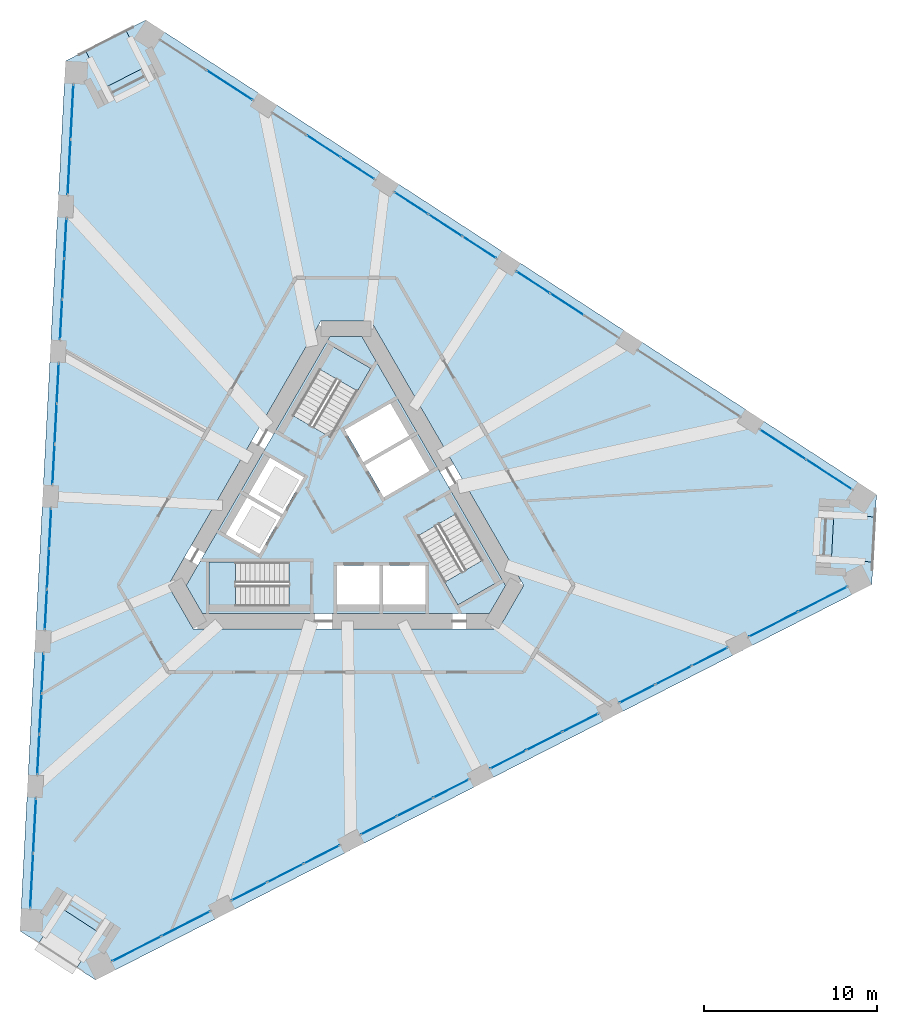
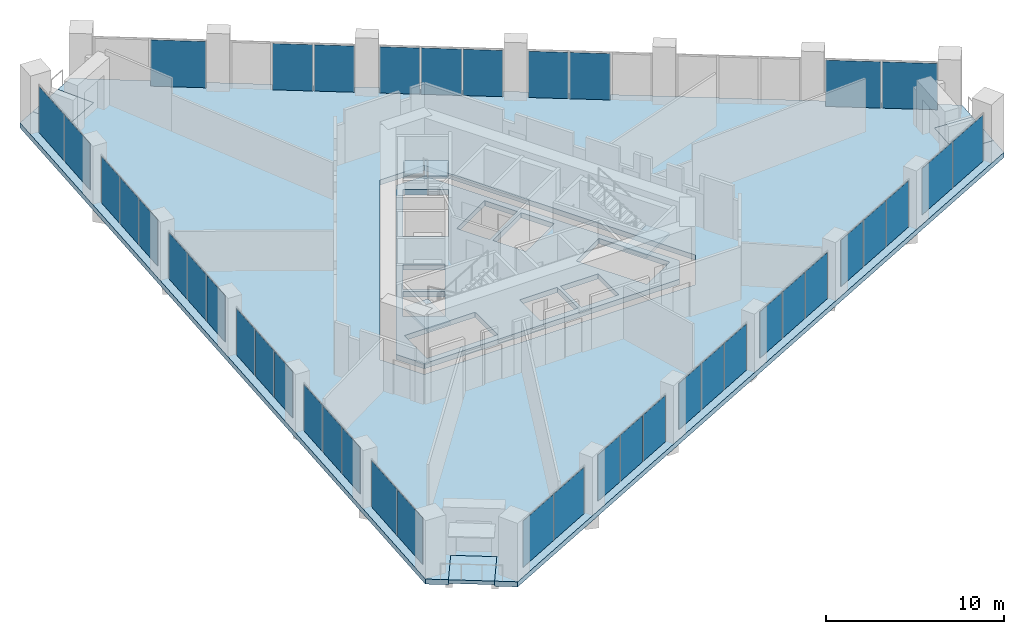
# One storey, part 10 of 18: 42 plates, 8 slabs, 20 elements without a shape of their own.
"""IFC4 building model written with IfcOpenShell, lengths in metres."""

from ifc_helpers import new_model, si_unit, direction, frame, origin, origin_2d, place, context, subcontext, project, spatial, polyline, rectangle, outline, extrude, material, layer, layer_set, type_object, element, aggregate, save


model = new_model("IFC4")

# Units and contexts
model_context = context("Model", 3, precision=1e-05, world=origin(), true_north=direction((0.0, 1.0)))
body_context = subcontext(model_context, "Body", "Model", "MODEL_VIEW")
ifc_project = project(units=[si_unit("LENGTHUNIT", "METRE"), si_unit("AREAUNIT", "SQUARE_METRE"), si_unit("VOLUMEUNIT", "CUBIC_METRE"), si_unit("PLANEANGLEUNIT", "RADIAN"), si_unit("MASSUNIT", "GRAM", prefix="KILO")], contexts=[model_context])

# Site, building, storey
site_placement = place(None, origin())
site = spatial("IfcSite", under=ifc_project, at=site_placement, CompositionType="ELEMENT")
building_placement = place(site_placement, origin())
building = spatial("IfcBuilding", under=site, at=building_placement, Name="Tramontana Tower", CompositionType="ELEMENT")
storey_placement = place(building_placement, frame((0.0, 0.0, 125.60009765625)))
storey = spatial("IfcBuildingStorey", under=building, at=storey_placement, Name="L28", CompositionType="ELEMENT", Elevation=125.60009765625)

# Curtain wall, plates
ifc_material_1 = material(Name="Aluminum extrusion", Category="aluminium")
ifc_layer_1 = layer(ifc_material_1, 0.14990234375)
ifc_layer_set_1 = layer_set([ifc_layer_1], Name="CW3 Sky lobby 1 curtain wall")
curtain_wall_type = type_object("IfcCurtainWallType", Name="CW3 Sky lobby 1 curtain wall", PredefinedType="NOTDEFINED", material=ifc_layer_set_1)
curtain_wall_1_placement = place(storey_placement, origin())
curtain_wall_1 = element("IfcCurtainWall", 1, at=curtain_wall_1_placement, inside=storey, type_object=curtain_wall_type, Name="CW3 curtain wall L28 face 0 bay 1", PredefinedType="NOTDEFINED")
ifc_material_2 = material(Name="Low-iron double glazing unit", Category="glass")
ifc_layer_2 = layer(ifc_material_2, 0.028076171875)
ifc_layer_set_2 = layer_set([ifc_layer_2], Name="CW3-P Glazing panel 28")
plate_type = type_object("IfcPlateType", Name="CW3-P Glazing panel 28", PredefinedType="CURTAIN_PANEL", material=ifc_layer_set_2)
plate_1_placement = place(storey_placement, frame((-15.790283203125, 23.05224609375, 0.0), z_axis=(0.0, 0.0, 1.0), x_axis=(-0.052335956243, -0.998629534755, 0.0)))
plate_1 = element("IfcPlate", 2, at=plate_1_placement, type_object=plate_type, Name="CW3 curtain wall L28 face 0 bay 1 panel 1.1", PredefinedType="CURTAIN_PANEL", context=body_context, shape_type="SweptSolid", body=[
    extrude(rectangle(XDim=3.120849609375, YDim=0.028076171875, at=origin_2d()), origin(), (0.0, 0.0, 1.0), 3.179931640625),
])
plate_2_placement = place(storey_placement, frame((-15.95654296875, 19.8759765625, 0.0), z_axis=(0.0, 0.0, 1.0), x_axis=(-0.052335956243, -0.998629534755, 0.0)))
plate_2 = element("IfcPlate", 3, at=plate_2_placement, type_object=plate_type, Name="CW3 curtain wall L28 face 0 bay 1 panel 2.1", PredefinedType="CURTAIN_PANEL", context=body_context, shape_type="SweptSolid", body=[
    extrude(rectangle(XDim=3.120849609375, YDim=0.028076171875, at=origin_2d()), origin(), (0.0, 0.0, 1.0), 3.179931640625),
])
aggregate(curtain_wall_1, [plate_1, plate_2])

curtain_wall_2_placement = place(storey_placement, origin())
curtain_wall_2 = element("IfcCurtainWall", 4, at=curtain_wall_2_placement, inside=storey, type_object=curtain_wall_type, Name="CW3 curtain wall L28 face 0 bay 2", PredefinedType="NOTDEFINED")
plate_3_placement = place(storey_placement, frame((-16.171875, 15.767578125, 0.0), z_axis=(0.0, 0.0, 1.0), x_axis=(-0.052335956243, -0.998629534755, 0.0)))
plate_3 = element("IfcPlate", 5, at=plate_3_placement, type_object=plate_type, Name="CW3 curtain wall L28 face 0 bay 2 panel 1.1", PredefinedType="CURTAIN_PANEL", context=body_context, shape_type="SweptSolid", body=[
    extrude(rectangle(XDim=2.26708984375, YDim=0.028076171875, at=origin_2d()), origin(), (0.0, 0.0, 1.0), 3.179931640625),
])
plate_4_placement = place(storey_placement, frame((-16.29443359375, 13.428466796875, 0.0), z_axis=(0.0, 0.0, 1.0), x_axis=(-0.052335956243, -0.998629534755, 0.0)))
plate_4 = element("IfcPlate", 6, at=plate_4_placement, type_object=plate_type, Name="CW3 curtain wall L28 face 0 bay 2 panel 2.1", PredefinedType="CURTAIN_PANEL", context=body_context, shape_type="SweptSolid", body=[
    extrude(rectangle(XDim=2.297119140625, YDim=0.028076171875, at=origin_2d()), origin(), (0.0, 0.0, 1.0), 3.179931640625),
])
plate_5_placement = place(storey_placement, frame((-16.417236328125, 11.089599609375, 0.0), z_axis=(0.0, 0.0, 1.0), x_axis=(-0.052335956243, -0.998629534755, 0.0)))
plate_5 = element("IfcPlate", 7, at=plate_5_placement, type_object=plate_type, Name="CW3 curtain wall L28 face 0 bay 2 panel 3.1", PredefinedType="CURTAIN_PANEL", context=body_context, shape_type="SweptSolid", body=[
    extrude(rectangle(XDim=2.26708984375, YDim=0.028076171875, at=origin_2d()), origin(), (0.0, 0.0, 1.0), 3.179931640625),
])
aggregate(curtain_wall_2, [plate_3, plate_4, plate_5])

curtain_wall_3_placement = place(storey_placement, origin())
curtain_wall_3 = element("IfcCurtainWall", 8, at=curtain_wall_3_placement, inside=storey, type_object=curtain_wall_type, Name="CW3 curtain wall L28 face 0 bay 3", PredefinedType="NOTDEFINED")
plate_6_placement = place(storey_placement, frame((-16.610107421875, 7.407470703125, 0.0), z_axis=(0.0, 0.0, 1.0), x_axis=(-0.052335956243, -0.998629534755, 0.0)))
plate_6 = element("IfcPlate", 9, at=plate_6_placement, type_object=plate_type, Name="CW3 curtain wall L28 face 0 bay 3 panel 1.1", PredefinedType="CURTAIN_PANEL", context=body_context, shape_type="SweptSolid", body=[
    extrude(rectangle(XDim=2.26708984375, YDim=0.028076171875, at=origin_2d()), origin(), (0.0, 0.0, 1.0), 3.179931640625),
])
plate_7_placement = place(storey_placement, frame((-16.732666015625, 5.068359375, 0.0), z_axis=(0.0, 0.0, 1.0), x_axis=(-0.052335956243, -0.998629534755, 0.0)))
plate_7 = element("IfcPlate", 10, at=plate_7_placement, type_object=plate_type, Name="CW3 curtain wall L28 face 0 bay 3 panel 2.1", PredefinedType="CURTAIN_PANEL", context=body_context, shape_type="SweptSolid", body=[
    extrude(rectangle(XDim=2.297119140625, YDim=0.028076171875, at=origin_2d()), origin(), (0.0, 0.0, 1.0), 3.179931640625),
])
plate_8_placement = place(storey_placement, frame((-16.855224609375, 2.7294921875, 0.0), z_axis=(0.0, 0.0, 1.0), x_axis=(-0.052335956243, -0.998629534755, 0.0)))
plate_8 = element("IfcPlate", 11, at=plate_8_placement, type_object=plate_type, Name="CW3 curtain wall L28 face 0 bay 3 panel 3.1", PredefinedType="CURTAIN_PANEL", context=body_context, shape_type="SweptSolid", body=[
    extrude(rectangle(XDim=2.26708984375, YDim=0.028076171875, at=origin_2d()), origin(), (0.0, 0.0, 1.0), 3.179931640625),
])
aggregate(curtain_wall_3, [plate_6, plate_7, plate_8])

curtain_wall_4_placement = place(storey_placement, origin())
curtain_wall_4 = element("IfcCurtainWall", 12, at=curtain_wall_4_placement, inside=storey, type_object=curtain_wall_type, Name="CW3 curtain wall L28 face 0 bay 4", PredefinedType="NOTDEFINED")
plate_9_placement = place(storey_placement, frame((-17.04833984375, -0.95263671875, 0.0), z_axis=(0.0, 0.0, 1.0), x_axis=(-0.052335956243, -0.998629534755, 0.0)))
plate_9 = element("IfcPlate", 13, at=plate_9_placement, type_object=plate_type, Name="CW3 curtain wall L28 face 0 bay 4 panel 1.1", PredefinedType="CURTAIN_PANEL", context=body_context, shape_type="SweptSolid", body=[
    extrude(rectangle(XDim=2.26708984375, YDim=0.028076171875, at=origin_2d()), origin(), (0.0, 0.0, 1.0), 3.179931640625),
])
plate_10_placement = place(storey_placement, frame((-17.1708984375, -3.291748046875, 0.0), z_axis=(0.0, 0.0, 1.0), x_axis=(-0.052335956243, -0.998629534755, 0.0)))
plate_10 = element("IfcPlate", 14, at=plate_10_placement, type_object=plate_type, Name="CW3 curtain wall L28 face 0 bay 4 panel 2.1", PredefinedType="CURTAIN_PANEL", context=body_context, shape_type="SweptSolid", body=[
    extrude(rectangle(XDim=2.297119140625, YDim=0.028076171875, at=origin_2d()), origin(), (0.0, 0.0, 1.0), 3.179931640625),
])
plate_11_placement = place(storey_placement, frame((-17.29345703125, -5.630615234375, 0.0), z_axis=(0.0, 0.0, 1.0), x_axis=(-0.052335956243, -0.998629534755, 0.0)))
plate_11 = element("IfcPlate", 15, at=plate_11_placement, type_object=plate_type, Name="CW3 curtain wall L28 face 0 bay 4 panel 3.1", PredefinedType="CURTAIN_PANEL", context=body_context, shape_type="SweptSolid", body=[
    extrude(rectangle(XDim=2.26708984375, YDim=0.028076171875, at=origin_2d()), origin(), (0.0, 0.0, 1.0), 3.179931640625),
])
aggregate(curtain_wall_4, [plate_9, plate_10, plate_11])

curtain_wall_5_placement = place(storey_placement, origin())
curtain_wall_5 = element("IfcCurtainWall", 16, at=curtain_wall_5_placement, inside=storey, type_object=curtain_wall_type, Name="CW3 curtain wall L28 face 0 bay 5", PredefinedType="NOTDEFINED")
plate_12_placement = place(storey_placement, frame((-17.486328125, -9.312744140625, 0.0), z_axis=(0.0, 0.0, 1.0), x_axis=(-0.052335956243, -0.998629534755, 0.0)))
plate_12 = element("IfcPlate", 17, at=plate_12_placement, type_object=plate_type, Name="CW3 curtain wall L28 face 0 bay 5 panel 1.1", PredefinedType="CURTAIN_PANEL", context=body_context, shape_type="SweptSolid", body=[
    extrude(rectangle(XDim=2.26708984375, YDim=0.028076171875, at=origin_2d()), origin(), (0.0, 0.0, 1.0), 3.179931640625),
])
plate_13_placement = place(storey_placement, frame((-17.60888671875, -11.65185546875, 0.0), z_axis=(0.0, 0.0, 1.0), x_axis=(-0.052335956243, -0.998629534755, 0.0)))
plate_13 = element("IfcPlate", 18, at=plate_13_placement, type_object=plate_type, Name="CW3 curtain wall L28 face 0 bay 5 panel 2.1", PredefinedType="CURTAIN_PANEL", context=body_context, shape_type="SweptSolid", body=[
    extrude(rectangle(XDim=2.297119140625, YDim=0.028076171875, at=origin_2d()), origin(), (0.0, 0.0, 1.0), 3.179931640625),
])
plate_14_placement = place(storey_placement, frame((-17.7314453125, -13.99072265625, 0.0), z_axis=(0.0, 0.0, 1.0), x_axis=(-0.052335956243, -0.998629534755, 0.0)))
plate_14 = element("IfcPlate", 19, at=plate_14_placement, type_object=plate_type, Name="CW3 curtain wall L28 face 0 bay 5 panel 3.1", PredefinedType="CURTAIN_PANEL", context=body_context, shape_type="SweptSolid", body=[
    extrude(rectangle(XDim=2.26708984375, YDim=0.028076171875, at=origin_2d()), origin(), (0.0, 0.0, 1.0), 3.179931640625),
])
aggregate(curtain_wall_5, [plate_12, plate_13, plate_14])

curtain_wall_6_placement = place(storey_placement, origin())
curtain_wall_6 = element("IfcCurtainWall", 20, at=curtain_wall_6_placement, inside=storey, type_object=curtain_wall_type, Name="CW3 curtain wall L28 face 0 bay 6", PredefinedType="NOTDEFINED")
plate_15_placement = place(storey_placement, frame((-17.94677734375, -18.09912109375, 0.0), z_axis=(0.0, 0.0, 1.0), x_axis=(-0.052335956243, -0.998629534755, 0.0)))
plate_15 = element("IfcPlate", 21, at=plate_15_placement, type_object=plate_type, Name="CW3 curtain wall L28 face 0 bay 6 panel 1.1", PredefinedType="CURTAIN_PANEL", context=body_context, shape_type="SweptSolid", body=[
    extrude(rectangle(XDim=3.120849609375, YDim=0.028076171875, at=origin_2d()), origin(), (0.0, 0.0, 1.0), 3.179931640625),
])
plate_16_placement = place(storey_placement, frame((-18.11328125, -21.275634765625, 0.0), z_axis=(0.0, 0.0, 1.0), x_axis=(-0.052335956243, -0.998629534755, 0.0)))
plate_16 = element("IfcPlate", 22, at=plate_16_placement, type_object=plate_type, Name="CW3 curtain wall L28 face 0 bay 6 panel 2.1", PredefinedType="CURTAIN_PANEL", context=body_context, shape_type="SweptSolid", body=[
    extrude(rectangle(XDim=3.120849609375, YDim=0.028076171875, at=origin_2d()), origin(), (0.0, 0.0, 1.0), 3.179931640625),
])
aggregate(curtain_wall_6, [plate_15, plate_16])

curtain_wall_7_placement = place(storey_placement, origin())
curtain_wall_7 = element("IfcCurtainWall", 23, at=curtain_wall_7_placement, inside=storey, type_object=curtain_wall_type, Name="CW3 curtain wall L28 face 1 bay 1", PredefinedType="NOTDEFINED")
plate_17_placement = place(storey_placement, frame((-12.06884765625, -25.200927734375, 0.0), z_axis=(0.0, 0.0, 1.0), x_axis=(0.891006524188, 0.45399049974, 0.0)))
plate_17 = element("IfcPlate", 24, at=plate_17_placement, type_object=plate_type, Name="CW3 curtain wall L28 face 1 bay 1 panel 1.1", PredefinedType="CURTAIN_PANEL", context=body_context, shape_type="SweptSolid", body=[
    extrude(rectangle(XDim=3.120849609375, YDim=0.028076171875, at=origin_2d()), origin(), (0.0, 0.0, 1.0), 3.179931640625),
])
plate_18_placement = place(storey_placement, frame((-9.234619140625, -23.7568359375, 0.0), z_axis=(0.0, 0.0, 1.0), x_axis=(0.891006524188, 0.45399049974, 0.0)))
plate_18 = element("IfcPlate", 25, at=plate_18_placement, type_object=plate_type, Name="CW3 curtain wall L28 face 1 bay 1 panel 2.1", PredefinedType="CURTAIN_PANEL", context=body_context, shape_type="SweptSolid", body=[
    extrude(rectangle(XDim=3.120849609375, YDim=0.028076171875, at=origin_2d()), origin(), (0.0, 0.0, 1.0), 3.179931640625),
])
aggregate(curtain_wall_7, [plate_17, plate_18])

curtain_wall_8_placement = place(storey_placement, origin())
curtain_wall_8 = element("IfcCurtainWall", 26, at=curtain_wall_8_placement, inside=storey, type_object=curtain_wall_type, Name="CW3 curtain wall L28 face 1 bay 2", PredefinedType="NOTDEFINED")
plate_19_placement = place(storey_placement, frame((-5.569091796875, -21.88916015625, 0.0), z_axis=(0.0, 0.0, 1.0), x_axis=(0.891006524188, 0.45399049974, 0.0)))
plate_19 = element("IfcPlate", 27, at=plate_19_placement, type_object=plate_type, Name="CW3 curtain wall L28 face 1 bay 2 panel 1.1", PredefinedType="CURTAIN_PANEL", context=body_context, shape_type="SweptSolid", body=[
    extrude(rectangle(XDim=2.26708984375, YDim=0.028076171875, at=origin_2d()), origin(), (0.0, 0.0, 1.0), 3.179931640625),
])
plate_20_placement = place(storey_placement, frame((-3.482177734375, -20.82568359375, 0.0), z_axis=(0.0, 0.0, 1.0), x_axis=(0.891006524188, 0.45399049974, 0.0)))
plate_20 = element("IfcPlate", 28, at=plate_20_placement, type_object=plate_type, Name="CW3 curtain wall L28 face 1 bay 2 panel 2.1", PredefinedType="CURTAIN_PANEL", context=body_context, shape_type="SweptSolid", body=[
    extrude(rectangle(XDim=2.297119140625, YDim=0.028076171875, at=origin_2d()), origin(), (0.0, 0.0, 1.0), 3.179931640625),
])
plate_21_placement = place(storey_placement, frame((-1.395263671875, -19.762451171875, 0.0), z_axis=(0.0, 0.0, 1.0), x_axis=(0.891006524188, 0.45399049974, 0.0)))
plate_21 = element("IfcPlate", 29, at=plate_21_placement, type_object=plate_type, Name="CW3 curtain wall L28 face 1 bay 2 panel 3.1", PredefinedType="CURTAIN_PANEL", context=body_context, shape_type="SweptSolid", body=[
    extrude(rectangle(XDim=2.26708984375, YDim=0.028076171875, at=origin_2d()), origin(), (0.0, 0.0, 1.0), 3.179931640625),
])
aggregate(curtain_wall_8, [plate_19, plate_20, plate_21])

curtain_wall_9_placement = place(storey_placement, origin())
curtain_wall_9 = element("IfcCurtainWall", 30, at=curtain_wall_9_placement, inside=storey, type_object=curtain_wall_type, Name="CW3 curtain wall L28 face 1 bay 3", PredefinedType="NOTDEFINED")
plate_22_placement = place(storey_placement, frame((1.889892578125, -18.08837890625, 0.0), z_axis=(0.0, 0.0, 1.0), x_axis=(0.891006524188, 0.45399049974, 0.0)))
plate_22 = element("IfcPlate", 31, at=plate_22_placement, type_object=plate_type, Name="CW3 curtain wall L28 face 1 bay 3 panel 1.1", PredefinedType="CURTAIN_PANEL", context=body_context, shape_type="SweptSolid", body=[
    extrude(rectangle(XDim=2.26708984375, YDim=0.028076171875, at=origin_2d()), origin(), (0.0, 0.0, 1.0), 3.179931640625),
])
plate_23_placement = place(storey_placement, frame((3.976806640625, -17.025146484375, 0.0), z_axis=(0.0, 0.0, 1.0), x_axis=(0.891006524188, 0.45399049974, 0.0)))
plate_23 = element("IfcPlate", 32, at=plate_23_placement, type_object=plate_type, Name="CW3 curtain wall L28 face 1 bay 3 panel 2.1", PredefinedType="CURTAIN_PANEL", context=body_context, shape_type="SweptSolid", body=[
    extrude(rectangle(XDim=2.297119140625, YDim=0.028076171875, at=origin_2d()), origin(), (0.0, 0.0, 1.0), 3.179931640625),
])
plate_24_placement = place(storey_placement, frame((6.063720703125, -15.9619140625, 0.0), z_axis=(0.0, 0.0, 1.0), x_axis=(0.891006524188, 0.45399049974, 0.0)))
plate_24 = element("IfcPlate", 33, at=plate_24_placement, type_object=plate_type, Name="CW3 curtain wall L28 face 1 bay 3 panel 3.1", PredefinedType="CURTAIN_PANEL", context=body_context, shape_type="SweptSolid", body=[
    extrude(rectangle(XDim=2.26708984375, YDim=0.028076171875, at=origin_2d()), origin(), (0.0, 0.0, 1.0), 3.179931640625),
])
aggregate(curtain_wall_9, [plate_22, plate_23, plate_24])

curtain_wall_10_placement = place(storey_placement, origin())
curtain_wall_10 = element("IfcCurtainWall", 34, at=curtain_wall_10_placement, inside=storey, type_object=curtain_wall_type, Name="CW3 curtain wall L28 face 1 bay 4", PredefinedType="NOTDEFINED")
plate_25_placement = place(storey_placement, frame((9.34912109375, -14.287841796875, 0.0), z_axis=(0.0, 0.0, 1.0), x_axis=(0.891006524188, 0.45399049974, 0.0)))
plate_25 = element("IfcPlate", 35, at=plate_25_placement, type_object=plate_type, Name="CW3 curtain wall L28 face 1 bay 4 panel 1.1", PredefinedType="CURTAIN_PANEL", context=body_context, shape_type="SweptSolid", body=[
    extrude(rectangle(XDim=2.26708984375, YDim=0.028076171875, at=origin_2d()), origin(), (0.0, 0.0, 1.0), 3.179931640625),
])
plate_26_placement = place(storey_placement, frame((11.43603515625, -13.224609375, 0.0), z_axis=(0.0, 0.0, 1.0), x_axis=(0.891006524188, 0.45399049974, 0.0)))
plate_26 = element("IfcPlate", 36, at=plate_26_placement, type_object=plate_type, Name="CW3 curtain wall L28 face 1 bay 4 panel 2.1", PredefinedType="CURTAIN_PANEL", context=body_context, shape_type="SweptSolid", body=[
    extrude(rectangle(XDim=2.297119140625, YDim=0.028076171875, at=origin_2d()), origin(), (0.0, 0.0, 1.0), 3.179931640625),
])
plate_27_placement = place(storey_placement, frame((13.52294921875, -12.1611328125, 0.0), z_axis=(0.0, 0.0, 1.0), x_axis=(0.891006524188, 0.45399049974, 0.0)))
plate_27 = element("IfcPlate", 37, at=plate_27_placement, type_object=plate_type, Name="CW3 curtain wall L28 face 1 bay 4 panel 3.1", PredefinedType="CURTAIN_PANEL", context=body_context, shape_type="SweptSolid", body=[
    extrude(rectangle(XDim=2.26708984375, YDim=0.028076171875, at=origin_2d()), origin(), (0.0, 0.0, 1.0), 3.179931640625),
])
aggregate(curtain_wall_10, [plate_25, plate_26, plate_27])

curtain_wall_11_placement = place(storey_placement, origin())
curtain_wall_11 = element("IfcCurtainWall", 38, at=curtain_wall_11_placement, inside=storey, type_object=curtain_wall_type, Name="CW3 curtain wall L28 face 1 bay 5", PredefinedType="NOTDEFINED")
plate_28_placement = place(storey_placement, frame((16.808349609375, -10.4873046875, 0.0), z_axis=(0.0, 0.0, 1.0), x_axis=(0.891006524188, 0.45399049974, 0.0)))
plate_28 = element("IfcPlate", 39, at=plate_28_placement, type_object=plate_type, Name="CW3 curtain wall L28 face 1 bay 5 panel 1.1", PredefinedType="CURTAIN_PANEL", context=body_context, shape_type="SweptSolid", body=[
    extrude(rectangle(XDim=2.26708984375, YDim=0.028076171875, at=origin_2d()), origin(), (0.0, 0.0, 1.0), 3.179931640625),
])
plate_29_placement = place(storey_placement, frame((18.895263671875, -9.423828125, 0.0), z_axis=(0.0, 0.0, 1.0), x_axis=(0.891006524188, 0.45399049974, 0.0)))
plate_29 = element("IfcPlate", 40, at=plate_29_placement, type_object=plate_type, Name="CW3 curtain wall L28 face 1 bay 5 panel 2.1", PredefinedType="CURTAIN_PANEL", context=body_context, shape_type="SweptSolid", body=[
    extrude(rectangle(XDim=2.297119140625, YDim=0.028076171875, at=origin_2d()), origin(), (0.0, 0.0, 1.0), 3.179931640625),
])
plate_30_placement = place(storey_placement, frame((20.982177734375, -8.360595703125, 0.0), z_axis=(0.0, 0.0, 1.0), x_axis=(0.891006524188, 0.45399049974, 0.0)))
plate_30 = element("IfcPlate", 41, at=plate_30_placement, type_object=plate_type, Name="CW3 curtain wall L28 face 1 bay 5 panel 3.1", PredefinedType="CURTAIN_PANEL", context=body_context, shape_type="SweptSolid", body=[
    extrude(rectangle(XDim=2.26708984375, YDim=0.028076171875, at=origin_2d()), origin(), (0.0, 0.0, 1.0), 3.179931640625),
])
aggregate(curtain_wall_11, [plate_28, plate_29, plate_30])

curtain_wall_12_placement = place(storey_placement, origin())
curtain_wall_12 = element("IfcCurtainWall", 42, at=curtain_wall_12_placement, inside=storey, type_object=curtain_wall_type, Name="CW3 curtain wall L28 face 1 bay 6", PredefinedType="NOTDEFINED")
plate_31_placement = place(storey_placement, frame((24.647705078125, -6.492919921875, 0.0), z_axis=(0.0, 0.0, 1.0), x_axis=(0.891006524188, 0.45399049974, 0.0)))
plate_31 = element("IfcPlate", 43, at=plate_31_placement, type_object=plate_type, Name="CW3 curtain wall L28 face 1 bay 6 panel 1.1", PredefinedType="CURTAIN_PANEL", context=body_context, shape_type="SweptSolid", body=[
    extrude(rectangle(XDim=3.120849609375, YDim=0.028076171875, at=origin_2d()), origin(), (0.0, 0.0, 1.0), 3.179931640625),
])
plate_32_placement = place(storey_placement, frame((27.481689453125, -5.048828125, 0.0), z_axis=(0.0, 0.0, 1.0), x_axis=(0.891006524188, 0.45399049974, 0.0)))
plate_32 = element("IfcPlate", 44, at=plate_32_placement, type_object=plate_type, Name="CW3 curtain wall L28 face 1 bay 6 panel 2.1", PredefinedType="CURTAIN_PANEL", context=body_context, shape_type="SweptSolid", body=[
    extrude(rectangle(XDim=3.120849609375, YDim=0.028076171875, at=origin_2d()), origin(), (0.0, 0.0, 1.0), 3.179931640625),
])
aggregate(curtain_wall_12, [plate_31, plate_32])

curtain_wall_13_placement = place(storey_placement, origin())
curtain_wall_13 = element("IfcCurtainWall", 45, at=curtain_wall_13_placement, inside=storey, type_object=curtain_wall_type, Name="CW3 curtain wall L28 face 2 bay 1", PredefinedType="NOTDEFINED")
plate_33_placement = place(storey_placement, frame((27.85888671875, 2.1484375, 0.0), z_axis=(0.0, 0.0, 1.0), x_axis=(-0.838670567945, 0.544639035015, 0.0)))
plate_33 = element("IfcPlate", 46, at=plate_33_placement, type_object=plate_type, Name="CW3 curtain wall L28 face 2 bay 1 panel 1.1", PredefinedType="CURTAIN_PANEL", context=body_context, shape_type="SweptSolid", body=[
    extrude(rectangle(XDim=3.120849609375, YDim=0.028076171875, at=origin_2d()), origin(), (0.0, 0.0, 1.0), 3.179931640625),
])
plate_34_placement = place(storey_placement, frame((25.19140625, 3.880859375, 0.0), z_axis=(0.0, 0.0, 1.0), x_axis=(-0.838670567945, 0.544639035015, 0.0)))
plate_34 = element("IfcPlate", 47, at=plate_34_placement, type_object=plate_type, Name="CW3 curtain wall L28 face 2 bay 1 panel 2.1", PredefinedType="CURTAIN_PANEL", context=body_context, shape_type="SweptSolid", body=[
    extrude(rectangle(XDim=3.120849609375, YDim=0.028076171875, at=origin_2d()), origin(), (0.0, 0.0, 1.0), 3.179931640625),
])
aggregate(curtain_wall_13, [plate_33, plate_34])

curtain_wall_14_placement = place(storey_placement, origin())
curtain_wall_14 = element("IfcCurtainWall", 48, at=curtain_wall_14_placement, inside=storey, type_object=curtain_wall_type, Name="CW3 curtain wall L28 face 2 bay 3", PredefinedType="NOTDEFINED")
plate_35_placement = place(storey_placement, frame((12.755859375, 11.956787109375, 0.0), z_axis=(0.0, 0.0, 1.0), x_axis=(-0.838670567945, 0.544639035015, 0.0)))
plate_35 = element("IfcPlate", 49, at=plate_35_placement, type_object=plate_type, Name="CW3 curtain wall L28 face 2 bay 3 panel 2.1", PredefinedType="CURTAIN_PANEL", context=body_context, shape_type="SweptSolid", body=[
    extrude(rectangle(XDim=2.297119140625, YDim=0.028076171875, at=origin_2d()), origin(), (0.0, 0.0, 1.0), 3.179931640625),
])
plate_36_placement = place(storey_placement, frame((10.79150390625, 13.232421875, 0.0), z_axis=(0.0, 0.0, 1.0), x_axis=(-0.838670567945, 0.544639035015, 0.0)))
plate_36 = element("IfcPlate", 50, at=plate_36_placement, type_object=plate_type, Name="CW3 curtain wall L28 face 2 bay 3 panel 3.1", PredefinedType="CURTAIN_PANEL", context=body_context, shape_type="SweptSolid", body=[
    extrude(rectangle(XDim=2.26708984375, YDim=0.028076171875, at=origin_2d()), origin(), (0.0, 0.0, 1.0), 3.179931640625),
])
aggregate(curtain_wall_14, [plate_35, plate_36])

curtain_wall_15_placement = place(storey_placement, origin())
curtain_wall_15 = element("IfcCurtainWall", 51, at=curtain_wall_15_placement, inside=storey, type_object=curtain_wall_type, Name="CW3 curtain wall L28 face 2 bay 4", PredefinedType="NOTDEFINED")
plate_37_placement = place(storey_placement, frame((7.698974609375, 15.240478515625, 0.0), z_axis=(0.0, 0.0, 1.0), x_axis=(-0.838670567945, 0.544639035015, 0.0)))
plate_37 = element("IfcPlate", 52, at=plate_37_placement, type_object=plate_type, Name="CW3 curtain wall L28 face 2 bay 4 panel 1.1", PredefinedType="CURTAIN_PANEL", context=body_context, shape_type="SweptSolid", body=[
    extrude(rectangle(XDim=2.26708984375, YDim=0.028076171875, at=origin_2d()), origin(), (0.0, 0.0, 1.0), 3.179931640625),
])
plate_38_placement = place(storey_placement, frame((5.73486328125, 16.51611328125, 0.0), z_axis=(0.0, 0.0, 1.0), x_axis=(-0.838670567945, 0.544639035015, 0.0)))
plate_38 = element("IfcPlate", 53, at=plate_38_placement, type_object=plate_type, Name="CW3 curtain wall L28 face 2 bay 4 panel 2.1", PredefinedType="CURTAIN_PANEL", context=body_context, shape_type="SweptSolid", body=[
    extrude(rectangle(XDim=2.297119140625, YDim=0.028076171875, at=origin_2d()), origin(), (0.0, 0.0, 1.0), 3.179931640625),
])
plate_39_placement = place(storey_placement, frame((3.7705078125, 17.791748046875, 0.0), z_axis=(0.0, 0.0, 1.0), x_axis=(-0.838670567945, 0.544639035015, 0.0)))
plate_39 = element("IfcPlate", 54, at=plate_39_placement, type_object=plate_type, Name="CW3 curtain wall L28 face 2 bay 4 panel 3.1", PredefinedType="CURTAIN_PANEL", context=body_context, shape_type="SweptSolid", body=[
    extrude(rectangle(XDim=2.26708984375, YDim=0.028076171875, at=origin_2d()), origin(), (0.0, 0.0, 1.0), 3.179931640625),
])
aggregate(curtain_wall_15, [plate_37, plate_38, plate_39])

curtain_wall_16_placement = place(storey_placement, origin())
curtain_wall_16 = element("IfcCurtainWall", 55, at=curtain_wall_16_placement, inside=storey, type_object=curtain_wall_type, Name="CW3 curtain wall L28 face 2 bay 5", PredefinedType="NOTDEFINED")
plate_40_placement = place(storey_placement, frame((0.677978515625, 19.800048828125, 0.0), z_axis=(0.0, 0.0, 1.0), x_axis=(-0.838670567945, 0.544639035015, 0.0)))
plate_40 = element("IfcPlate", 56, at=plate_40_placement, type_object=plate_type, Name="CW3 curtain wall L28 face 2 bay 5 panel 1.1", PredefinedType="CURTAIN_PANEL", context=body_context, shape_type="SweptSolid", body=[
    extrude(rectangle(XDim=2.26708984375, YDim=0.028076171875, at=origin_2d()), origin(), (0.0, 0.0, 1.0), 3.179931640625),
])
plate_41_placement = place(storey_placement, frame((-1.2861328125, 21.07568359375, 0.0), z_axis=(0.0, 0.0, 1.0), x_axis=(-0.838670567945, 0.544639035015, 0.0)))
plate_41 = element("IfcPlate", 57, at=plate_41_placement, type_object=plate_type, Name="CW3 curtain wall L28 face 2 bay 5 panel 2.1", PredefinedType="CURTAIN_PANEL", context=body_context, shape_type="SweptSolid", body=[
    extrude(rectangle(XDim=2.297119140625, YDim=0.028076171875, at=origin_2d()), origin(), (0.0, 0.0, 1.0), 3.179931640625),
])
aggregate(curtain_wall_16, [plate_40, plate_41])

# Curtain wall, plate
curtain_wall_17_placement = place(storey_placement, origin())
curtain_wall_17 = element("IfcCurtainWall", 58, at=curtain_wall_17_placement, inside=storey, type_object=curtain_wall_type, Name="CW3 curtain wall L28 face 2 bay 6", PredefinedType="NOTDEFINED")
plate_42_placement = place(storey_placement, frame((-6.700927734375, 24.592041015625, 0.0), z_axis=(0.0, 0.0, 1.0), x_axis=(-0.838670567945, 0.544639035015, 0.0)))
plate_42 = element("IfcPlate", 59, at=plate_42_placement, type_object=plate_type, Name="CW3 curtain wall L28 face 2 bay 6 panel 1.1", PredefinedType="CURTAIN_PANEL", context=body_context, shape_type="SweptSolid", body=[
    extrude(rectangle(XDim=3.120849609375, YDim=0.028076171875, at=origin_2d()), origin(), (0.0, 0.0, 1.0), 3.179931640625),
])
aggregate(curtain_wall_17, [plate_42])

# Slabs
ifc_material_3 = material(Name="Precast concrete 50 MPa", Category="concrete")
ifc_layer_3 = layer(ifc_material_3, 0.25)
ifc_layer_set_3 = layer_set([ifc_layer_3], Name="LT1 Loggia floor tray 250")
slab_type_1 = type_object("IfcSlabType", Name="LT1 Loggia floor tray 250", PredefinedType="FLOOR", material=ifc_layer_set_3)
slab_1_placement = place(storey_placement, frame((0.0, 0.0, -0.25)))
element("IfcSlab", 60, at=slab_1_placement, inside=storey, type_object=slab_type_1, Name="Corner loggia floor L28 K30", PredefinedType="FLOOR", context=body_context, shape_type="SweptSolid", body=[
    extrude(outline(polyline([(-12.6884765625, 27.765869140625), (-11.598876953125, 25.62744140625), (-13.91552734375, 24.447021484375), (-15.005126953125, 26.58544921875), (-12.6884765625, 27.765869140625)])), origin(), (0.0, 0.0, 1.0), 0.25),
])
slab_2_placement = place(storey_placement, frame((0.0, 0.0, -0.25)))
element("IfcSlab", 61, at=slab_2_placement, inside=storey, type_object=slab_type_1, Name="Corner loggia floor L28 K31", PredefinedType="FLOOR", context=body_context, shape_type="SweptSolid", body=[
    extrude(outline(polyline([(-17.70166015625, -24.871337890625), (-16.39453125, -22.858642578125), (-14.214111328125, -24.274658203125), (-15.521240234375, -26.28759765625), (-17.70166015625, -24.871337890625)])), origin(), (0.0, 0.0, 1.0), 0.25),
])
slab_3_placement = place(storey_placement, frame((0.0, 0.0, -0.25)))
element("IfcSlab", 62, at=slab_3_placement, inside=storey, type_object=slab_type_1, Name="Corner loggia floor L28 K32", PredefinedType="FLOOR", context=body_context, shape_type="SweptSolid", body=[
    extrude(outline(polyline([(30.39013671875, -2.89453125), (27.993408203125, -2.768798828125), (28.129638671875, -0.17236328125), (30.526123046875, -0.298095703125), (30.39013671875, -2.89453125)])), origin(), (0.0, 0.0, 1.0), 0.25),
])
ifc_material_4 = material(Name="Concrete 40 MPa", Category="concrete")
ifc_layer_4 = layer(ifc_material_4, 0.35009765625)
ifc_layer_set_4 = layer_set([ifc_layer_4], Name="PT FLAT SLAB 350 40 MPa")
slab_type_2 = type_object("IfcSlabType", Name="PT FLAT SLAB 350 40 MPa", PredefinedType="FLOOR", material=ifc_layer_set_4)
slab_4_placement = place(storey_placement, frame((0.0, 0.0, -0.35009765625)))
element("IfcSlab", 63, at=slab_4_placement, inside=storey, type_object=slab_type_2, Name="Floor slab L28", PredefinedType="FLOOR", context=body_context, shape_type="SweptSolid", body=[
    extrude(outline(polyline([(30.526123046875, -0.298095703125), (28.12939453125, -0.17236328125), (27.993408203125, -2.768798828125), (30.39013671875, -2.89453125), (30.322265625, -4.19091796875), (-14.4326171875, -26.994384765625), (-15.521240234375, -26.28759765625), (-14.214111328125, -24.274658203125), (-16.39453125, -22.858642578125), (-17.701904296875, -24.871337890625), (-18.790283203125, -24.164306640625), (-16.16162109375, 25.99609375), (-15.0048828125, 26.58544921875), (-13.915283203125, 24.447021484375), (-11.598876953125, 25.62744140625), (-12.6884765625, 27.765869140625), (-11.53173828125, 28.355224609375), (30.59423828125, 0.998291015625), (30.526123046875, -0.298095703125)]), holes=[polyline([(-10.248046875, -4.25), (-8.8046875, -6.75), (8.8046875, -6.75), (10.248046875, -4.25), (1.443359375, 11.0), (-1.443359375, 11.0), (-10.248046875, -4.25)])]), origin(), (0.0, 0.0, 1.0), 0.35009765625),
])
slab_5_placement = place(storey_placement, frame((0.0, 0.0, -0.35009765625)))
element("IfcSlab", 64, at=slab_5_placement, inside=storey, type_object=slab_type_2, Name="Core floor slab L28", PredefinedType="FLOOR", context=body_context, shape_type="SweptSolid", body=[
    extrude(outline(polyline([(9.208740234375, -4.25), (8.284912109375, -5.85009765625), (-8.284912109375, -5.85009765625), (-9.208740234375, -4.25), (-0.923828125, 10.10009765625), (0.923828125, 10.10009765625), (9.208740234375, -4.25)]), holes=[polyline([(8.659912109375, -4.099365234375), (6.35986328125, -0.115478515625), (4.151611328125, -1.390625), (6.451416015625, -5.374267578125), (8.659912109375, -4.099365234375)]), polyline([(3.829833984375, 4.2666015625), (1.101806640625, 2.69140625), (2.177001953125, 0.82958984375), (4.90478515625, 2.404541015625), (3.829833984375, 4.2666015625)]), polyline([(4.590087890625, -5.449951171875), (4.590087890625, -3.10009765625), (2.139892578125, -3.10009765625), (2.139892578125, -5.449951171875), (4.590087890625, -5.449951171875)]), polyline([(3.729736328125, 4.439697265625), (2.65478515625, 6.3017578125), (-0.072998046875, 4.726806640625), (1.001953125, 2.86474609375), (3.729736328125, 4.439697265625)]), polyline([(1.93994140625, -5.449951171875), (1.93994140625, -3.10009765625), (-0.510009765625, -3.10009765625), (-0.510009765625, -5.449951171875), (1.93994140625, -5.449951171875)]), polyline([(1.428466796875, 8.2744140625), (-0.77978515625, 9.54931640625), (-3.079833984375, 5.565673828125), (-0.87158203125, 4.29052734375), (1.428466796875, 8.2744140625)]), polyline([(-5.689697265625, 1.044921875), (-3.65478515625, -0.130126953125), (-2.4296875, 1.99169921875), (-4.46484375, 3.166748046875), (-5.689697265625, 1.044921875)]), polyline([(-7.8798828125, -5.449951171875), (-3.280029296875, -5.449951171875), (-3.280029296875, -2.89990234375), (-7.8798828125, -2.89990234375), (-7.8798828125, -5.449951171875)]), polyline([(-7.014892578125, -1.25), (-4.979736328125, -2.425048828125), (-3.754638671875, -0.30322265625), (-5.789794921875, 0.87158203125), (-7.014892578125, -1.25)])]), origin(), (0.0, 0.0, 1.0), 0.35009765625),
])

# Stair, slab
ifc_material_5 = material(Name="Concrete 40 MPa", Category="concrete")
stair_type = type_object("IfcStairType", Name="EXIT STAIR 24 RISERS", PredefinedType="HALF_TURN_STAIR", material=ifc_material_5)
stair_1_placement = place(storey_placement, origin())
stair_1 = element("IfcStair", 65, at=stair_1_placement, inside=storey, type_object=stair_type, Name="L28 Exit stair ST1", PredefinedType="HALF_TURN_STAIR")
ifc_material_6 = material(Name="Concrete 40 MPa", Category="concrete")
ifc_layer_5 = layer(ifc_material_6, 0.199951171875)
ifc_layer_set_5 = layer_set([ifc_layer_5], Name="STAIR LANDING 200")
slab_type_3 = type_object("IfcSlabType", Name="STAIR LANDING 200", PredefinedType="LANDING", material=ifc_layer_set_5)
slab_6_placement = place(storey_placement, frame((0.0, 0.0, 1.7998046875)))
slab_6 = element("IfcSlab", 66, at=slab_6_placement, type_object=slab_type_3, Name="ST1 landing 1", PredefinedType="LANDING", context=body_context, shape_type="SweptSolid", body=[
    extrude(outline(polyline([(0.66845703125, 6.9580078125), (1.428466796875, 8.274169921875), (-0.77978515625, 9.54931640625), (-1.539794921875, 8.23291015625), (0.66845703125, 6.9580078125)])), origin(), (0.0, 0.0, 1.0), 0.2001953125),
])
aggregate(stair_1, [slab_6])

stair_2_placement = place(storey_placement, origin())
stair_2 = element("IfcStair", 67, at=stair_2_placement, inside=storey, type_object=stair_type, Name="L28 Exit stair ST2", PredefinedType="HALF_TURN_STAIR")
slab_7_placement = place(storey_placement, frame((0.0, 0.0, 1.7998046875)))
slab_7 = element("IfcSlab", 68, at=slab_7_placement, type_object=slab_type_3, Name="ST2 landing 1", PredefinedType="LANDING", context=body_context, shape_type="SweptSolid", body=[
    extrude(outline(polyline([(-6.360107421875, -2.89990234375), (-7.8798828125, -2.89990234375), (-7.8798828125, -5.449951171875), (-6.360107421875, -5.449951171875), (-6.360107421875, -2.89990234375)])), origin(), (0.0, 0.0, 1.0), 0.2001953125),
])
aggregate(stair_2, [slab_7])

stair_3_placement = place(storey_placement, origin())
stair_3 = element("IfcStair", 69, at=stair_3_placement, inside=storey, type_object=stair_type, Name="L28 Exit stair ST3", PredefinedType="HALF_TURN_STAIR")
slab_8_placement = place(storey_placement, frame((0.0, 0.0, 1.7998046875)))
slab_8 = element("IfcSlab", 70, at=slab_8_placement, type_object=slab_type_3, Name="ST3 landing 1", PredefinedType="LANDING", context=body_context, shape_type="SweptSolid", body=[
    extrude(outline(polyline([(5.69140625, -4.057861328125), (6.451416015625, -5.374267578125), (8.659912109375, -4.099365234375), (7.89990234375, -2.782958984375), (5.69140625, -4.057861328125)])), origin(), (0.0, 0.0, 1.0), 0.2001953125),
])
aggregate(stair_3, [slab_8])

save(model, "model.ifc")
